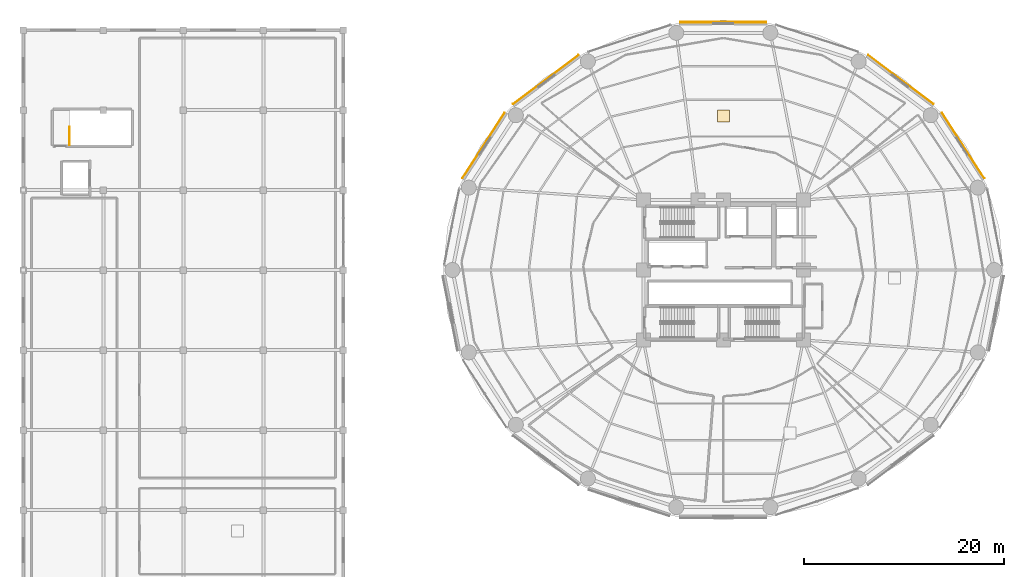
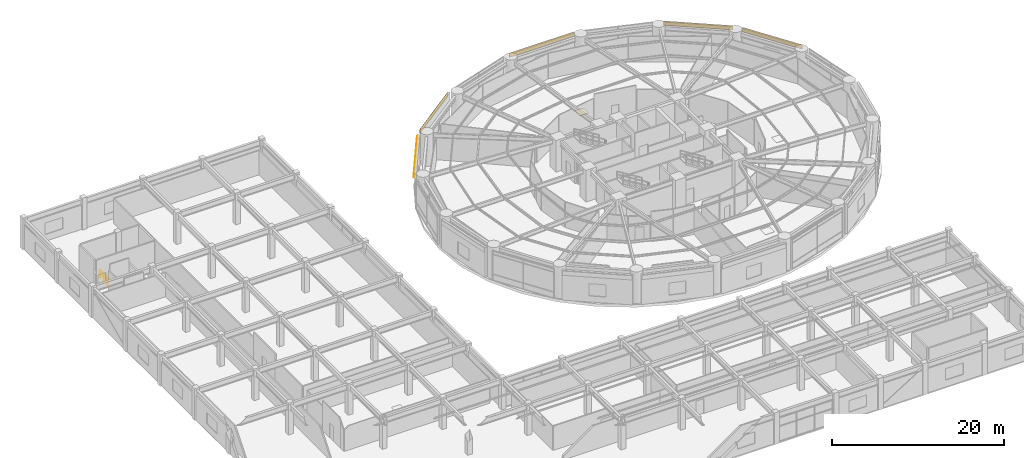
# One storey, part 46 of 46: 6 coverings, 1 railing.
"""IFC4 building model written with IfcOpenShell, lengths in metres."""

from ifc_helpers import new_model, si_unit, direction, frame, origin, origin_2d, place, context, subcontext, project, spatial, polyline, rectangle, outline, extrude, source, transform, mapped, material, layer, layer_set, type_object, element, save


model = new_model("IFC4")

# Units and contexts
model_context = context("Model", 3, precision=1e-05, world=origin(), true_north=direction((0.0, 1.0)))
body_context = subcontext(model_context, "Body", "Model", "MODEL_VIEW")
ifc_project = project(units=[si_unit("LENGTHUNIT", "METRE"), si_unit("AREAUNIT", "SQUARE_METRE"), si_unit("VOLUMEUNIT", "CUBIC_METRE"), si_unit("PLANEANGLEUNIT", "RADIAN"), si_unit("MASSUNIT", "GRAM", prefix="KILO")], contexts=[model_context])

# Site, building, storey
site_placement = place(None, origin())
site = spatial("IfcSite", under=ifc_project, at=site_placement, CompositionType="ELEMENT")
building_placement = place(site_placement, origin())
building = spatial("IfcBuilding", under=site, at=building_placement, Name="Kelanora Arch Commons", CompositionType="ELEMENT")
storey_placement = place(building_placement, frame((0.0, 0.0, 18.0)))
storey = spatial("IfcBuildingStorey", under=building, at=storey_placement, Name="L04", CompositionType="ELEMENT", Elevation=18.0)

# Railing
ifc_material_1 = material(Name="Painted steel stair well guard", Category="steel")
railing_type = type_object("IfcRailingType", Name="RAIL-STAIR-GRD", PredefinedType="GUARDRAIL", material=ifc_material_1)
railing_placement = place(storey_placement, frame((8.6298828125, 70.47998046875, 0.0)))
element("IfcRailing", 1, at=railing_placement, inside=storey, type_object=railing_type, Name="L04 ST-M3 top well guard 1", PredefinedType="GUARDRAIL", context=body_context, shape_type="SweptSolid", body=[
    extrude(outline(polyline([(0.02392578125, 0.0), (0.011962890625, 0.020751953125), (-0.011962890625, 0.020751953125), (-0.02392578125, 0.0), (-0.011962890625, -0.020751953125), (0.011962890625, -0.020751953125), (0.02392578125, 0.0)])), frame((0.0, 0.0, 1.076171875), z_axis=(0.0, 1.0, 0.0), x_axis=(-1.0, 0.0, 0.0)), (0.0, 0.0, 1.0), 1.830078125),
    extrude(outline(polyline([(0.02392578125, 0.0), (0.011962890625, 0.020751953125), (-0.011962890625, 0.020751953125), (-0.02392578125, 0.0), (-0.011962890625, -0.020751953125), (0.011962890625, -0.020751953125), (0.02392578125, 0.0)])), frame((0.0, 0.0, 0.550048828125), z_axis=(0.0, 1.0, 0.0), x_axis=(-1.0, 0.0, 0.0)), (0.0, 0.0, 1.0), 1.830078125),
    extrude(outline(polyline([(0.02099609375, 0.0), (0.010498046875, 0.01806640625), (-0.010498046875, 0.01806640625), (-0.02099609375, 0.0), (-0.010498046875, -0.01806640625), (0.010498046875, -0.01806640625), (0.02099609375, 0.0)])), origin(), (0.0, 0.0, 1.0), 1.052001953125),
    extrude(outline(polyline([(0.02099609375, 0.0), (0.010498046875, 0.01806640625), (-0.010498046875, 0.01806640625), (-0.02099609375, 0.0), (-0.010498046875, -0.01806640625), (0.010498046875, -0.01806640625), (0.02099609375, 0.0)])), frame((0.0, 0.9150390625, 0.0)), (0.0, 0.0, 1.0), 1.052001953125),
    extrude(outline(polyline([(0.02099609375, 0.0), (0.010498046875, 0.01806640625), (-0.010498046875, 0.01806640625), (-0.02099609375, 0.0), (-0.010498046875, -0.01806640625), (0.010498046875, -0.01806640625), (0.02099609375, 0.0)])), frame((0.0, 1.830078125, 0.0)), (0.0, 0.0, 1.0), 1.052001953125),
])

# Coverings
ifc_material_2 = material(Name="Glazed architectural terracotta spandrel cladding", Category="masonry")
ifc_layer_1 = layer(ifc_material_2, 0.06005859375)
ifc_layer_set_1 = layer_set([ifc_layer_1], Name="Glazed architectural terracotta spandrel cladding")
covering_type_1 = type_object("IfcCoveringType", Name="COV-CLAD-TC", PredefinedType="CLADDING", material=ifc_layer_set_1)
shared_shape_1 = source(origin(), body_context, "Body", "SweptSolid", [
    extrude(rectangle(XDim=8.591796875, YDim=0.06005859375, at=origin_2d()), origin(), (0.0, 0.0, 1.0), 0.60009765625),
])
covering_1_placement = place(storey_placement, frame((74.0, 82.7783203125, 3.574951171875), z_axis=(0.0, 0.0, 1.0), x_axis=(-1.0, 0.0, 0.0)))
element("IfcCovering", 2, at=covering_1_placement, inside=storey, type_object=covering_type_1, Name="Terracotta Spandrel Cladding L04-B04", PredefinedType="CLADDING", context=body_context, shape_type="MappedRepresentation", body=[
    mapped(shared_shape_1, transform((0.0, 0.0, 0.0), scale=1.0)),
])
shared_shape_2 = source(origin(), body_context, "Body", "SweptSolid", [
    extrude(rectangle(XDim=7.817626953125, YDim=0.06005859375, at=origin_2d()), origin(), (0.0, 0.0, 1.0), 0.60009765625),
])
for number, where, z_axis, x_axis, name in (
    (3, (97.976806640625, 70.45166015625, 3.574951171875), (0.0, 0.0, 1.0), (-0.543005222291, 0.839729318629, 0.0), "Terracotta Spandrel Cladding L04-B01"),
    (4, (50.023193359375, 70.45166015625, 3.574951171875), (0.0, 0.0, 1.0), (-0.543005222291, -0.839729318629, 0.0), "Terracotta Spandrel Cladding L04-B07"),
):
    element("IfcCovering", number, at=place(storey_placement, frame(where, z_axis=z_axis, x_axis=x_axis)), inside=storey, type_object=covering_type_1, Name=name, PredefinedType="CLADDING", context=body_context, shape_type="MappedRepresentation", body=[
        mapped(shared_shape_2, transform((0.0, 0.0, 0.0), scale=1.0)),
    ])
shared_shape_3 = source(origin(), body_context, "Body", "SweptSolid", [
    extrude(rectangle(XDim=8.17041015625, YDim=0.06005859375, at=origin_2d()), origin(), (0.0, 0.0, 1.0), 0.60009765625),
])
for number, where, z_axis, x_axis, name in (
    (5, (91.760986328125, 77.0302734375, 3.574951171875), (0.0, 0.0, 1.0), (-0.800309643984, 0.599586919259, 0.0), "Terracotta Spandrel Cladding L04-B02"),
    (6, (56.239013671875, 77.0302734375, 3.574951171875), (0.0, 0.0, 1.0), (-0.800309643984, -0.599586919259, 0.0), "Terracotta Spandrel Cladding L04-B06"),
):
    element("IfcCovering", number, at=place(storey_placement, frame(where, z_axis=z_axis, x_axis=x_axis)), inside=storey, type_object=covering_type_1, Name=name, PredefinedType="CLADDING", context=body_context, shape_type="MappedRepresentation", body=[
        mapped(shared_shape_3, transform((0.0, 0.0, 0.0), scale=1.0)),
    ])
ifc_material_3 = material(Name="Polished local granite terrazzo flooring", Category="masonry")
ifc_layer_2 = layer(ifc_material_3, 0.030029296875)
ifc_layer_set_2 = layer_set([ifc_layer_2], Name="Polished local granite terrazzo flooring")
covering_type_2 = type_object("IfcCoveringType", Name="COV-FLR-TER", PredefinedType="FLOORING", material=ifc_layer_set_2)
shared_shape_4 = source(origin(), body_context, "Body", "SweptSolid", [
    extrude(rectangle(XDim=1.199951171875, YDim=1.199951171875, at=origin_2d()), origin(), (0.0, 0.0, 1.0), 0.030029296875),
])
covering_2_placement = place(storey_placement, frame((74.0, 73.377685546875, 0.0), z_axis=(0.0, 0.0, 1.0), x_axis=(1.0, 0.0, 0.0)))
element("IfcCovering", 7, at=covering_2_placement, inside=storey, type_object=covering_type_2, Name="Shared Student Study Commons L04-B Terrazzo Finish", PredefinedType="FLOORING", context=body_context, shape_type="MappedRepresentation", body=[
    mapped(shared_shape_4, transform((0.0, 0.0, 0.0), scale=1.0)),
])

save(model, "model.ifc")
